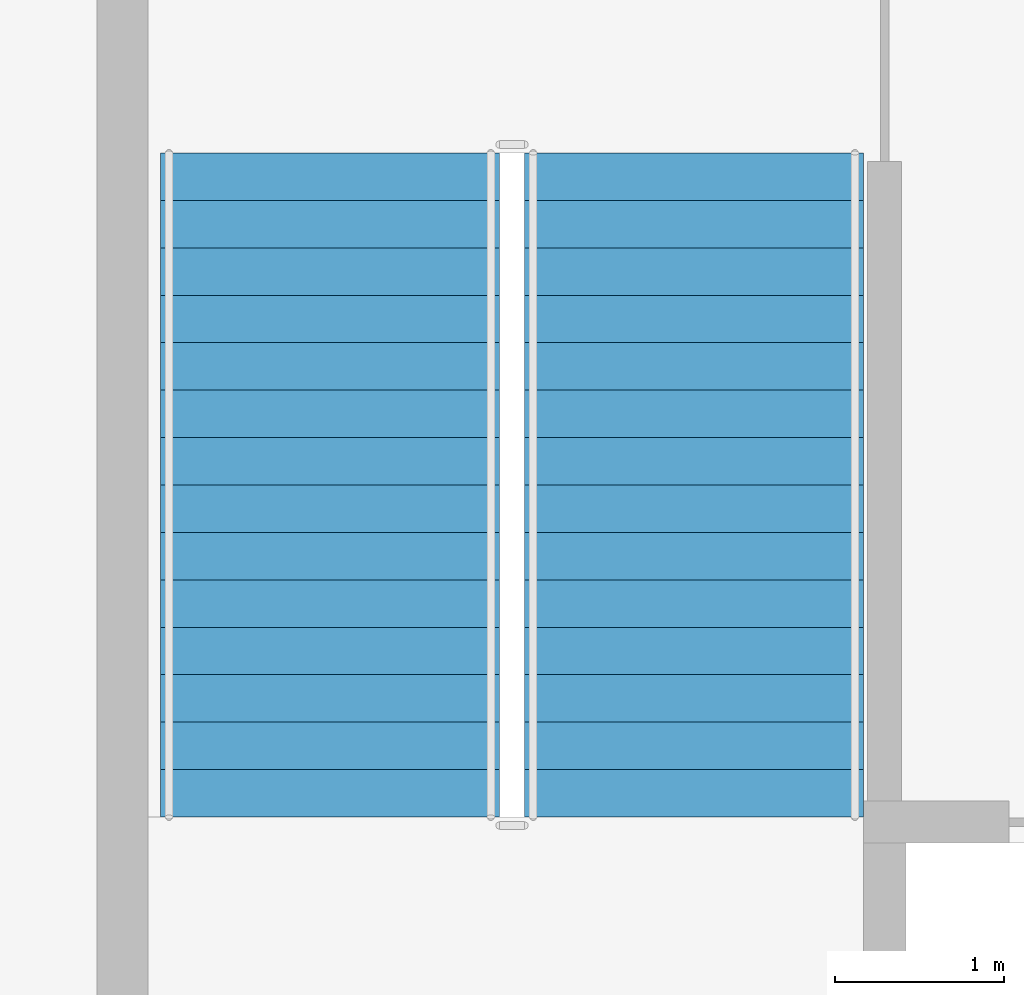
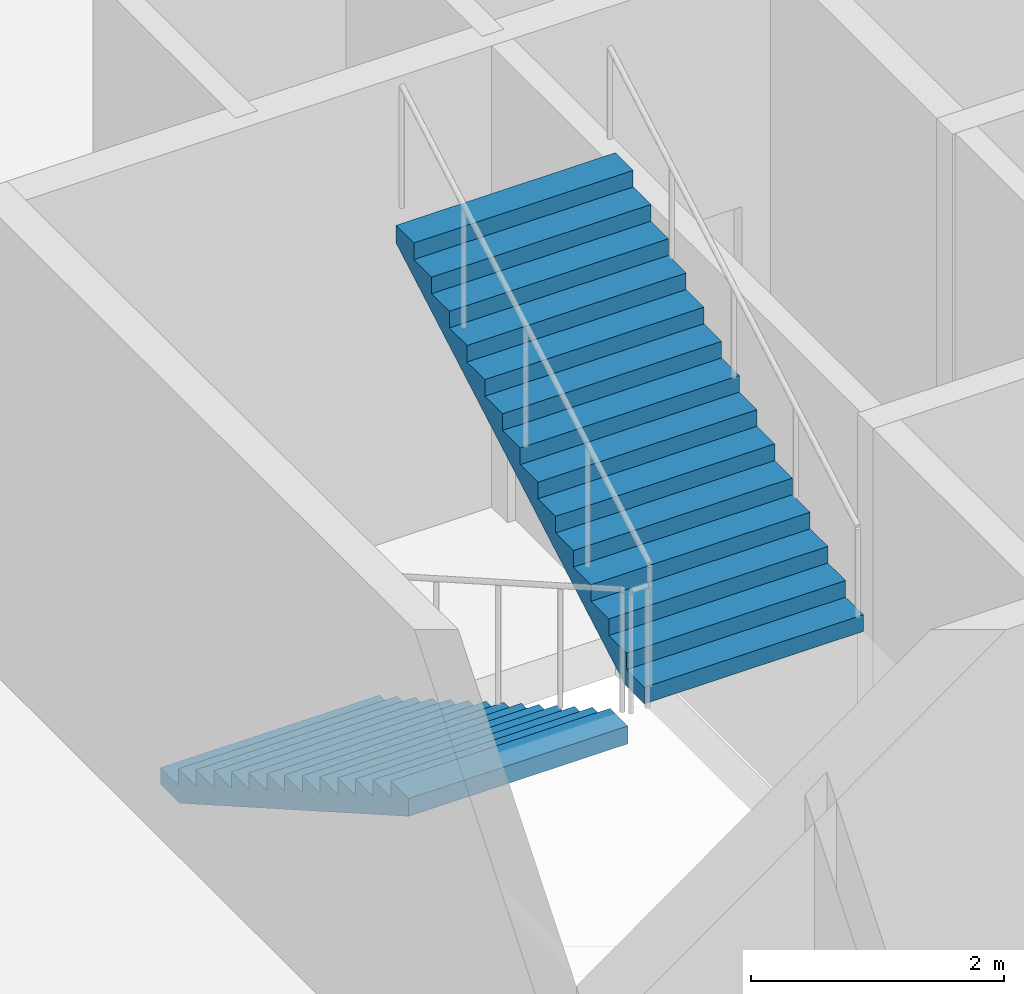
# One storey, part 5 of 10: 2 stair flights, 1 element without a shape of its own.
"""IFC4 building model written with IfcOpenShell, lengths in metres."""

import ifcopenshell
import ifcopenshell.guid

model = None  # the IFC model being written
_history = None  # IfcOwnerHistory: only IFC2X3 demands one
_inside = {}  # id of a spatial element -> (the spatial element, [elements in it])
_under = {}  # id of a project, library or spatial element -> (it, [spatial elements below it])
_declared = {}  # id of a project -> (the project, [libraries it declares])
_typed = {}  # id of a type object -> (the type object, [elements of that type])
_made_of = {}  # id of a material, layer set ... -> (it, [elements and type objects made of it])


def new_model(schema):
    """Start an empty IFC model of exactly this schema.

    Asked for "IFC4X3", IfcOpenShell would pick the latest addendum, in which some entities
    have other attributes; the version numbers below select the first issue.
    IFC2X3 requires an IfcOwnerHistory on every rooted entity: one is made here for all.
    """
    global model, _history
    if schema == "IFC4X3":
        model = ifcopenshell.file(schema_version=(4, 3, 0, 0))
    else:
        model = ifcopenshell.file(schema=schema)
    _inside.clear()
    _under.clear()
    _declared.clear()
    _typed.clear()
    _made_of.clear()
    _history = None
    if model.schema == "IFC2X3":
        org = make("IfcOrganization", Name="unknown")
        user = make(
            "IfcPersonAndOrganization",
            ThePerson=make("IfcPerson", FamilyName="unknown"),
            TheOrganization=org,
        )
        app = make(
            "IfcApplication",
            ApplicationDeveloper=org,
            Version="unknown",
            ApplicationFullName="unknown",
            ApplicationIdentifier="unknown",
        )
        _history = make(
            "IfcOwnerHistory",
            OwningUser=user,
            OwningApplication=app,
            ChangeAction="ADDED",
            CreationDate=0,
        )
    return model


def make(cls, **values):
    """One entity of the class cls with the attributes given. An attribute that is None is left unset."""
    return model.create_entity(
        cls, **{name: value for name, value in values.items() if value is not None}
    )


def rooted(cls, **values):
    """An entity with a GlobalId (a new one), such as an element, a storey or a relation."""
    return make(cls, GlobalId=ifcopenshell.guid.new(), OwnerHistory=_history, **values)


def si_unit(unit_type, name, prefix=None):
    """IfcSIUnit, for example si_unit("LENGTHUNIT", "METRE", prefix="MILLI")."""
    return make("IfcSIUnit", UnitType=unit_type, Prefix=prefix, Name=name)


def assignment(units):
    """IfcUnitAssignment: the units of a project."""
    return None if units is None else make("IfcUnitAssignment", Units=units)


def point(xyz):
    """IfcCartesianPoint."""
    return None if xyz is None else make("IfcCartesianPoint", Coordinates=xyz)


def direction(xyz):
    """IfcDirection."""
    return None if xyz is None else make("IfcDirection", DirectionRatios=xyz)


def frame(location, z_axis=None, x_axis=None):
    """IfcAxis2Placement3D, a coordinate frame: its origin and axes. An axis left out is left unset."""
    return make(
        "IfcAxis2Placement3D",
        Location=point(location),
        Axis=direction(z_axis),
        RefDirection=direction(x_axis),
    )


def origin():
    """The frame at (0, 0, 0) with its axes left unset."""
    return frame((0.0, 0.0, 0.0))


def place(relative_to, where):
    """IfcLocalPlacement: puts the frame where relative to a parent placement (None: the world)."""
    return make(
        "IfcLocalPlacement", PlacementRelTo=relative_to, RelativePlacement=where
    )


def context(
    kind, dimensions, precision=None, world=None, true_north=None, identifier=None
):
    """IfcGeometricRepresentationContext, for example the 3D "Model" context."""
    return make(
        "IfcGeometricRepresentationContext",
        ContextIdentifier=identifier,
        ContextType=kind,
        CoordinateSpaceDimension=dimensions,
        Precision=precision,
        WorldCoordinateSystem=world,
        TrueNorth=true_north,
    )


def subcontext(parent, identifier, kind, view, scale=None):
    """IfcGeometricRepresentationSubContext, for example "Body" below "Model"."""
    return make(
        "IfcGeometricRepresentationSubContext",
        ContextIdentifier=identifier,
        ContextType=kind,
        ParentContext=parent,
        TargetScale=scale,
        TargetView=view,
    )


def project(units=None, contexts=None):
    """IfcProject with its units and contexts."""
    return rooted(
        "IfcProject",
        Name="project",
        RepresentationContexts=contexts,
        UnitsInContext=assignment(units),
    )


def spatial(cls, under=None, at=None, **own):
    """A site, building, storey or space (cls), placed at a placement, below another one or the project."""
    s = rooted(cls, ObjectPlacement=at, **own)
    if under is not None:
        _under.setdefault(under.id(), (under, []))[1].append(s)
    return s


def point_list(points):
    """IfcCartesianPointList2D or 3D."""
    cls = (
        "IfcCartesianPointList2D" if len(points[0]) == 2 else "IfcCartesianPointList3D"
    )
    return make(cls, CoordList=points)


def polygons(points, faces, closed=None, point_numbers=None):
    """IfcPolygonalFaceSet: a face is its outer loop, then its inner loops; points numbered from 1."""
    made = []
    for loops in faces:
        if len(loops) == 1:
            made.append(make("IfcIndexedPolygonalFace", CoordIndex=loops[0]))
        else:
            made.append(
                make(
                    "IfcIndexedPolygonalFaceWithVoids",
                    CoordIndex=loops[0],
                    InnerCoordIndices=loops[1:],
                )
            )
    return make(
        "IfcPolygonalFaceSet",
        Coordinates=point_list(points),
        Closed=closed,
        Faces=made,
        PnIndex=point_numbers,
    )


def shape(context_of_items, identifier, shape_type, items):
    """IfcShapeRepresentation: the items that make up one representation, for example the "Body"."""
    return make(
        "IfcShapeRepresentation",
        ContextOfItems=context_of_items,
        RepresentationIdentifier=identifier,
        RepresentationType=shape_type,
        Items=items,
    )


def material(Name=None, Category=None):
    """IfcMaterial."""
    return make("IfcMaterial", Name=Name, Category=Category)


def made_of(thing, what):
    """Note that an element or type object is made of a material, layer set ...; save() writes the relation."""
    if what is not None:
        _made_of.setdefault(what.id(), (what, []))[1].append(thing)
    return thing


def type_object(cls, material=None, **own):
    """A type object (cls), such as IfcWallType, which elements share."""
    return made_of(rooted(cls, **own), material)


def element(
    cls,
    number,
    at=None,
    inside=None,
    cuts=None,
    type_object=None,
    material=None,
    context=None,
    identifier="Body",
    shape_type=None,
    held_by="IfcProductDefinitionShape",
    body=None,
    shapes=None,
    **own,
):
    """One element of the class cls, such as IfcWall. Its Tag is "e" and its number.

    at: its placement. inside: the storey or other place that contains it. cuts: it is an
    opening in that element (IfcRelVoidsElement). A single representation is given by context,
    identifier, shape_type and body (its items); several are given by shapes. held_by: the class
    of the entity that holds the representations. save() writes the other relations.
    """
    e = rooted(cls, Tag="e%d" % number, ObjectPlacement=at, **own)
    if body is not None:
        shapes = [shape(context, identifier, shape_type, body)]
    if shapes is not None:
        e.Representation = make(held_by, Representations=shapes)
    if inside is not None:
        _inside.setdefault(inside.id(), (inside, []))[1].append(e)
    if cuts is not None:
        rooted(
            "IfcRelVoidsElement", RelatingBuildingElement=cuts, RelatedOpeningElement=e
        )
    if type_object is not None:
        _typed.setdefault(type_object.id(), (type_object, []))[1].append(e)
    return made_of(e, material)


def aggregate(whole, parts):
    """IfcRelAggregates: a whole, such as a stair, and the parts it consists of."""
    return rooted("IfcRelAggregates", RelatingObject=whole, RelatedObjects=parts)


def save(model, path):
    """Write the relations noted so far, then the file.

    IfcRelAggregates (storeys below a building ...), IfcRelContainedInSpatialStructure (elements
    in a storey), IfcRelDefinesByType, IfcRelAssociatesMaterial and IfcRelDeclares: one each for
    every whole, place, type object, material and project.
    """
    for whole, parts in _under.values():
        aggregate(whole, parts)
    for where, things in _inside.values():
        rooted(
            "IfcRelContainedInSpatialStructure",
            RelatedElements=things,
            RelatingStructure=where,
        )
    for kind, things in _typed.values():
        rooted("IfcRelDefinesByType", RelatedObjects=things, RelatingType=kind)
    for what, things in _made_of.values():
        rooted("IfcRelAssociatesMaterial", RelatedObjects=things, RelatingMaterial=what)
    for by, libraries in _declared.values():
        rooted("IfcRelDeclares", RelatingContext=by, RelatedDefinitions=libraries)
    model.write(path)


model = new_model("IFC4")

# Units and contexts
model_context = context("Model", 3, precision=1e-05, world=origin(), true_north=direction((0.0, 1.0)))
body_context = subcontext(model_context, "Body", "Model", "MODEL_VIEW")
ifc_project = project(units=[si_unit("LENGTHUNIT", "METRE"), si_unit("AREAUNIT", "SQUARE_METRE"), si_unit("VOLUMEUNIT", "CUBIC_METRE"), si_unit("PLANEANGLEUNIT", "RADIAN"), si_unit("MASSUNIT", "GRAM", prefix="KILO")], contexts=[model_context])

# Site, building, storey
site_placement = place(None, origin())
site = spatial("IfcSite", under=ifc_project, at=site_placement, CompositionType="ELEMENT")
building_placement = place(site_placement, origin())
building = spatial("IfcBuilding", under=site, at=building_placement, Name="Caravel Reach Hotel and Residences", CompositionType="ELEMENT")
storey_placement = place(building_placement, frame((0.0, 0.0, 140.39990234375)))
storey = spatial("IfcBuildingStorey", under=building, at=storey_placement, Name="L35", CompositionType="ELEMENT", Elevation=140.39990234375)

# Stair, stair flights
ifc_material_1 = material(Name="Concrete C40", Category="concrete")
stair_type = type_object("IfcStairType", Name="Core stair", PredefinedType="HALF_TURN_STAIR", material=ifc_material_1)
stair_placement = place(storey_placement, origin())
stair = element("IfcStair", 1, at=stair_placement, inside=storey, type_object=stair_type, Name="L35 Exit stair A", PredefinedType="HALF_TURN_STAIR")
ifc_material_2 = material(Name="Concrete C40", Category="concrete")
stair_flight_type = type_object("IfcStairFlightType", Name="Core stair flight", PredefinedType="STRAIGHT", material=ifc_material_2)
stair_flight_1_placement = place(storey_placement, frame((19.22509765625, 29.35009765625, 0.0), z_axis=(0.0, 0.0, 1.0), x_axis=(0.0, -1.0, 0.0)))
stair_flight_1 = element("IfcStairFlight", 2, at=stair_flight_1_placement, type_object=stair_flight_type, Name="ST-A flight 1", NumberOfRisers=15, NumberOfTreads=14, PredefinedType="STRAIGHT", RiserHeight=0.16, TreadLength=0.28, context=body_context, shape_type="Tessellation", body=[
    polygons([(0.30213783309663755, 1.0, 0.0), (0.30213783309663755, 0.6666666666666667, 0.0), (0.30213783309663755, 0.33333333333333337, 0.0), (0.30213783309663755, 0.0, 0.0), (0.30213783309663755, -0.33333333333333326, 0.0), (0.30213783309663755, -0.6666666666666667, 0.0), (0.30213783309663755, -1.0, 0.0), (3.9210000000000003, 1.0, 2.0673498096590643), (3.9210000000000003, 0.6666666666666667, 2.0673498096590643), (3.9210000000000003, 0.33333333333333337, 2.0673498096590643), (3.9210000000000003, 0.0, 2.0673498096590643), (3.9210000000000003, -0.33333333333333326, 2.0673498096590643), (3.9210000000000003, -0.6666666666666667, 2.0673498096590643), (3.9210000000000003, -1.0, 2.0673498096590643), (3.9210000000000003, 1.0, 2.24), (3.9210000000000003, 0.6666666666666667, 2.24), (3.9210000000000003, 0.33333333333333337, 2.24), (3.9210000000000003, 0.0, 2.24), (3.9210000000000003, -0.33333333333333326, 2.24), (3.9210000000000003, -0.6666666666666667, 2.24), (3.9210000000000003, -1.0, 2.24), (3.6400000000000006, 1.0, 2.24), (3.6400000000000006, 0.6666666666666667, 2.24), (3.6400000000000006, 0.33333333333333337, 2.24), (3.6400000000000006, 0.0, 2.24), (3.6400000000000006, -0.33333333333333326, 2.24), (3.6400000000000006, -0.6666666666666667, 2.24), (3.6400000000000006, -1.0, 2.24), (3.6400000000000006, 1.0, 2.08), (3.6400000000000006, 0.6666666666666667, 2.08), (3.6400000000000006, 0.33333333333333337, 2.08), (3.6400000000000006, 0.0, 2.08), (3.6400000000000006, -0.33333333333333326, 2.08), (3.6400000000000006, -0.6666666666666667, 2.08), (3.6400000000000006, -1.0, 2.08), (3.3600000000000003, 1.0, 2.08), (3.3600000000000003, 0.6666666666666667, 2.08), (3.3600000000000003, 0.33333333333333337, 2.08), (3.3600000000000003, 0.0, 2.08), (3.3600000000000003, -0.33333333333333326, 2.08), (3.3600000000000003, -0.6666666666666667, 2.08), (3.3600000000000003, -1.0, 2.08), (3.3600000000000003, 1.0, 1.92), (3.3600000000000003, 0.6666666666666667, 1.92), (3.3600000000000003, 0.33333333333333337, 1.92), (3.3600000000000003, 0.0, 1.92), (3.3600000000000003, -0.33333333333333326, 1.92), (3.3600000000000003, -0.6666666666666667, 1.92), (3.3600000000000003, -1.0, 1.92), (3.08, 1.0, 1.92), (3.08, 0.6666666666666667, 1.92), (3.08, 0.33333333333333337, 1.92), (3.08, 0.0, 1.92), (3.08, -0.33333333333333326, 1.92), (3.08, -0.6666666666666667, 1.92), (3.08, -1.0, 1.92), (3.08, 1.0, 1.76), (3.08, 0.6666666666666667, 1.76), (3.08, 0.33333333333333337, 1.76), (3.08, 0.0, 1.76), (3.08, -0.33333333333333326, 1.76), (3.08, -0.6666666666666667, 1.76), (3.08, -1.0, 1.76), (2.8000000000000003, 1.0, 1.76), (2.8000000000000003, 0.6666666666666667, 1.76), (2.8000000000000003, 0.33333333333333337, 1.76), (2.8000000000000003, 0.0, 1.76), (2.8000000000000003, -0.33333333333333326, 1.76), (2.8000000000000003, -0.6666666666666667, 1.76), (2.8000000000000003, -1.0, 1.76), (2.8000000000000003, 1.0, 1.6), (2.8000000000000003, 0.6666666666666667, 1.6), (2.8000000000000003, 0.33333333333333337, 1.6), (2.8000000000000003, 0.0, 1.6), (2.8000000000000003, -0.33333333333333326, 1.6), (2.8000000000000003, -0.6666666666666667, 1.6), (2.8000000000000003, -1.0, 1.6), (2.5200000000000005, 1.0, 1.6), (2.5200000000000005, 0.6666666666666667, 1.6), (2.5200000000000005, 0.33333333333333337, 1.6), (2.5200000000000005, 0.0, 1.6), (2.5200000000000005, -0.33333333333333326, 1.6), (2.5200000000000005, -0.6666666666666667, 1.6), (2.5200000000000005, -1.0, 1.6), (2.5200000000000005, 1.0, 1.44), (2.5200000000000005, 0.6666666666666667, 1.44), (2.5200000000000005, 0.33333333333333337, 1.44), (2.5200000000000005, 0.0, 1.44), (2.5200000000000005, -0.33333333333333326, 1.44), (2.5200000000000005, -0.6666666666666667, 1.44), (2.5200000000000005, -1.0, 1.44), (2.24, 1.0, 1.44), (2.24, 0.6666666666666667, 1.44), (2.24, 0.33333333333333337, 1.44), (2.24, 0.0, 1.44), (2.24, -0.33333333333333326, 1.44), (2.24, -0.6666666666666667, 1.44), (2.24, -1.0, 1.44), (2.24, 1.0, 1.28), (2.24, 0.6666666666666667, 1.28), (2.24, 0.33333333333333337, 1.28), (2.24, 0.0, 1.28), (2.24, -0.33333333333333326, 1.28), (2.24, -0.6666666666666667, 1.28), (2.24, -1.0, 1.28), (1.9600000000000002, 1.0, 1.28), (1.9600000000000002, 0.6666666666666667, 1.28), (1.9600000000000002, 0.33333333333333337, 1.28), (1.9600000000000002, 0.0, 1.28), (1.9600000000000002, -0.33333333333333326, 1.28), (1.9600000000000002, -0.6666666666666667, 1.28), (1.9600000000000002, -1.0, 1.28), (1.9600000000000002, 1.0, 1.12), (1.9600000000000002, 0.6666666666666667, 1.12), (1.9600000000000002, 0.33333333333333337, 1.12), (1.9600000000000002, 0.0, 1.12), (1.9600000000000002, -0.33333333333333326, 1.12), (1.9600000000000002, -0.6666666666666667, 1.12), (1.9600000000000002, -1.0, 1.12), (1.6800000000000002, 1.0, 1.12), (1.6800000000000002, 0.6666666666666667, 1.12), (1.6800000000000002, 0.33333333333333337, 1.12), (1.6800000000000002, 0.0, 1.12), (1.6800000000000002, -0.33333333333333326, 1.12), (1.6800000000000002, -0.6666666666666667, 1.12), (1.6800000000000002, -1.0, 1.12), (1.6800000000000002, 1.0, 0.96), (1.6800000000000002, 0.6666666666666667, 0.96), (1.6800000000000002, 0.33333333333333337, 0.96), (1.6800000000000002, 0.0, 0.96), (1.6800000000000002, -0.33333333333333326, 0.96), (1.6800000000000002, -0.6666666666666667, 0.96), (1.6800000000000002, -1.0, 0.96), (1.4000000000000001, 1.0, 0.96), (1.4000000000000001, 0.6666666666666667, 0.96), (1.4000000000000001, 0.33333333333333337, 0.96), (1.4000000000000001, 0.0, 0.96), (1.4000000000000001, -0.33333333333333326, 0.96), (1.4000000000000001, -0.6666666666666667, 0.96), (1.4000000000000001, -1.0, 0.96), (1.4000000000000001, 1.0, 0.8), (1.4000000000000001, 0.6666666666666667, 0.8), (1.4000000000000001, 0.33333333333333337, 0.8), (1.4000000000000001, 0.0, 0.8), (1.4000000000000001, -0.33333333333333326, 0.8), (1.4000000000000001, -0.6666666666666667, 0.8), (1.4000000000000001, -1.0, 0.8), (1.12, 1.0, 0.8), (1.12, 0.6666666666666667, 0.8), (1.12, 0.33333333333333337, 0.8), (1.12, 0.0, 0.8), (1.12, -0.33333333333333326, 0.8), (1.12, -0.6666666666666667, 0.8), (1.12, -1.0, 0.8), (1.12, 1.0, 0.64), (1.12, 0.6666666666666667, 0.64), (1.12, 0.33333333333333337, 0.64), (1.12, 0.0, 0.64), (1.12, -0.33333333333333326, 0.64), (1.12, -0.6666666666666667, 0.64), (1.12, -1.0, 0.64), (0.8400000000000001, 1.0, 0.64), (0.8400000000000001, 0.6666666666666667, 0.64), (0.8400000000000001, 0.33333333333333337, 0.64), (0.8400000000000001, 0.0, 0.64), (0.8400000000000001, -0.33333333333333326, 0.64), (0.8400000000000001, -0.6666666666666667, 0.64), (0.8400000000000001, -1.0, 0.64), (0.8400000000000001, 1.0, 0.48), (0.8400000000000001, 0.6666666666666667, 0.48), (0.8400000000000001, 0.33333333333333337, 0.48), (0.8400000000000001, 0.0, 0.48), (0.8400000000000001, -0.33333333333333326, 0.48), (0.8400000000000001, -0.6666666666666667, 0.48), (0.8400000000000001, -1.0, 0.48), (0.56, 1.0, 0.48), (0.56, 0.6666666666666667, 0.48), (0.56, 0.33333333333333337, 0.48), (0.56, 0.0, 0.48), (0.56, -0.33333333333333326, 0.48), (0.56, -0.6666666666666667, 0.48), (0.56, -1.0, 0.48), (0.56, 1.0, 0.32), (0.56, 0.6666666666666667, 0.32), (0.56, 0.33333333333333337, 0.32), (0.56, 0.0, 0.32), (0.56, -0.33333333333333326, 0.32), (0.56, -0.6666666666666667, 0.32), (0.56, -1.0, 0.32), (0.28, 1.0, 0.32), (0.28, 0.6666666666666667, 0.32), (0.28, 0.33333333333333337, 0.32), (0.28, 0.0, 0.32), (0.28, -0.33333333333333326, 0.32), (0.28, -0.6666666666666667, 0.32), (0.28, -1.0, 0.32), (0.28, 1.0, 0.16), (0.28, 0.6666666666666667, 0.16), (0.28, 0.33333333333333337, 0.16), (0.28, 0.0, 0.16), (0.28, -0.33333333333333326, 0.16), (0.28, -0.6666666666666667, 0.16), (0.28, -1.0, 0.16), (-0.001, 1.0, 0.16), (-0.001, 0.6666666666666667, 0.16), (-0.001, 0.33333333333333337, 0.16), (-0.001, 0.0, 0.16), (-0.001, -0.33333333333333326, 0.16), (-0.001, -0.6666666666666667, 0.16), (-0.001, -1.0, 0.16), (-0.001, 1.0, 0.0), (-0.001, 0.6666666666666667, 0.0), (-0.001, 0.33333333333333337, 0.0), (-0.001, 0.0, 0.0), (-0.001, -0.33333333333333326, 0.0), (-0.001, -0.6666666666666667, 0.0), (-0.001, -1.0, 0.0)], [[[211, 204, 197, 190, 183, 176, 169, 162, 155, 148, 141, 134, 127, 120, 113, 106, 99, 92, 85, 78, 71, 64, 57, 50, 43, 36, 29, 22, 15, 8, 1]], [[7, 14, 21, 28, 35, 42, 49, 56, 63, 70, 77, 84, 91, 98, 105, 112, 119, 126, 133, 140, 147, 154, 161, 168, 175, 182, 189, 196, 203, 210, 217]], [[1, 8, 9, 2]], [[2, 9, 10, 3]], [[3, 10, 11, 4]], [[4, 11, 12, 5]], [[5, 12, 13, 6]], [[6, 13, 14, 7]], [[8, 15, 16, 9]], [[9, 16, 17, 10]], [[10, 17, 18, 11]], [[11, 18, 19, 12]], [[12, 19, 20, 13]], [[13, 20, 21, 14]], [[15, 22, 23, 16]], [[16, 23, 24, 17]], [[17, 24, 25, 18]], [[18, 25, 26, 19]], [[19, 26, 27, 20]], [[20, 27, 28, 21]], [[22, 29, 30, 23]], [[23, 30, 31, 24]], [[24, 31, 32, 25]], [[25, 32, 33, 26]], [[26, 33, 34, 27]], [[27, 34, 35, 28]], [[29, 36, 37, 30]], [[30, 37, 38, 31]], [[31, 38, 39, 32]], [[32, 39, 40, 33]], [[33, 40, 41, 34]], [[34, 41, 42, 35]], [[36, 43, 44, 37]], [[37, 44, 45, 38]], [[38, 45, 46, 39]], [[39, 46, 47, 40]], [[40, 47, 48, 41]], [[41, 48, 49, 42]], [[43, 50, 51, 44]], [[44, 51, 52, 45]], [[45, 52, 53, 46]], [[46, 53, 54, 47]], [[47, 54, 55, 48]], [[48, 55, 56, 49]], [[50, 57, 58, 51]], [[51, 58, 59, 52]], [[52, 59, 60, 53]], [[53, 60, 61, 54]], [[54, 61, 62, 55]], [[55, 62, 63, 56]], [[57, 64, 65, 58]], [[58, 65, 66, 59]], [[59, 66, 67, 60]], [[60, 67, 68, 61]], [[61, 68, 69, 62]], [[62, 69, 70, 63]], [[64, 71, 72, 65]], [[65, 72, 73, 66]], [[66, 73, 74, 67]], [[67, 74, 75, 68]], [[68, 75, 76, 69]], [[69, 76, 77, 70]], [[71, 78, 79, 72]], [[72, 79, 80, 73]], [[73, 80, 81, 74]], [[74, 81, 82, 75]], [[75, 82, 83, 76]], [[76, 83, 84, 77]], [[78, 85, 86, 79]], [[79, 86, 87, 80]], [[80, 87, 88, 81]], [[81, 88, 89, 82]], [[82, 89, 90, 83]], [[83, 90, 91, 84]], [[85, 92, 93, 86]], [[86, 93, 94, 87]], [[87, 94, 95, 88]], [[88, 95, 96, 89]], [[89, 96, 97, 90]], [[90, 97, 98, 91]], [[92, 99, 100, 93]], [[93, 100, 101, 94]], [[94, 101, 102, 95]], [[95, 102, 103, 96]], [[96, 103, 104, 97]], [[97, 104, 105, 98]], [[99, 106, 107, 100]], [[100, 107, 108, 101]], [[101, 108, 109, 102]], [[102, 109, 110, 103]], [[103, 110, 111, 104]], [[104, 111, 112, 105]], [[106, 113, 114, 107]], [[107, 114, 115, 108]], [[108, 115, 116, 109]], [[109, 116, 117, 110]], [[110, 117, 118, 111]], [[111, 118, 119, 112]], [[113, 120, 121, 114]], [[114, 121, 122, 115]], [[115, 122, 123, 116]], [[116, 123, 124, 117]], [[117, 124, 125, 118]], [[118, 125, 126, 119]], [[120, 127, 128, 121]], [[121, 128, 129, 122]], [[122, 129, 130, 123]], [[123, 130, 131, 124]], [[124, 131, 132, 125]], [[125, 132, 133, 126]], [[127, 134, 135, 128]], [[128, 135, 136, 129]], [[129, 136, 137, 130]], [[130, 137, 138, 131]], [[131, 138, 139, 132]], [[132, 139, 140, 133]], [[134, 141, 142, 135]], [[135, 142, 143, 136]], [[136, 143, 144, 137]], [[137, 144, 145, 138]], [[138, 145, 146, 139]], [[139, 146, 147, 140]], [[141, 148, 149, 142]], [[142, 149, 150, 143]], [[143, 150, 151, 144]], [[144, 151, 152, 145]], [[145, 152, 153, 146]], [[146, 153, 154, 147]], [[148, 155, 156, 149]], [[149, 156, 157, 150]], [[150, 157, 158, 151]], [[151, 158, 159, 152]], [[152, 159, 160, 153]], [[153, 160, 161, 154]], [[155, 162, 163, 156]], [[156, 163, 164, 157]], [[157, 164, 165, 158]], [[158, 165, 166, 159]], [[159, 166, 167, 160]], [[160, 167, 168, 161]], [[162, 169, 170, 163]], [[163, 170, 171, 164]], [[164, 171, 172, 165]], [[165, 172, 173, 166]], [[166, 173, 174, 167]], [[167, 174, 175, 168]], [[169, 176, 177, 170]], [[170, 177, 178, 171]], [[171, 178, 179, 172]], [[172, 179, 180, 173]], [[173, 180, 181, 174]], [[174, 181, 182, 175]], [[176, 183, 184, 177]], [[177, 184, 185, 178]], [[178, 185, 186, 179]], [[179, 186, 187, 180]], [[180, 187, 188, 181]], [[181, 188, 189, 182]], [[183, 190, 191, 184]], [[184, 191, 192, 185]], [[185, 192, 193, 186]], [[186, 193, 194, 187]], [[187, 194, 195, 188]], [[188, 195, 196, 189]], [[190, 197, 198, 191]], [[191, 198, 199, 192]], [[192, 199, 200, 193]], [[193, 200, 201, 194]], [[194, 201, 202, 195]], [[195, 202, 203, 196]], [[197, 204, 205, 198]], [[198, 205, 206, 199]], [[199, 206, 207, 200]], [[200, 207, 208, 201]], [[201, 208, 209, 202]], [[202, 209, 210, 203]], [[204, 211, 212, 205]], [[205, 212, 213, 206]], [[206, 213, 214, 207]], [[207, 214, 215, 208]], [[208, 215, 216, 209]], [[209, 216, 217, 210]], [[211, 1, 2, 212]], [[212, 2, 3, 213]], [[213, 3, 4, 214]], [[214, 4, 5, 215]], [[215, 5, 6, 216]], [[216, 6, 7, 217]]], closed=True),
])
stair_flight_2_placement = place(storey_placement, frame((21.375, 25.429931640625, 2.400146484375), z_axis=(0.0, 0.0, 1.0), x_axis=(0.0, 1.0, 0.0)))
stair_flight_2 = element("IfcStairFlight", 3, at=stair_flight_2_placement, type_object=stair_flight_type, Name="ST-A flight 2", NumberOfRisers=15, NumberOfTreads=14, PredefinedType="STRAIGHT", RiserHeight=0.16, TreadLength=0.28, context=body_context, shape_type="Tessellation", body=[
    polygons([(0.30213783309663755, 1.0, 0.0), (0.30213783309663755, 0.6666666666666667, 0.0), (0.30213783309663755, 0.33333333333333337, 0.0), (0.30213783309663755, 0.0, 0.0), (0.30213783309663755, -0.33333333333333326, 0.0), (0.30213783309663755, -0.6666666666666667, 0.0), (0.30213783309663755, -1.0, 0.0), (3.9210000000000003, 1.0, 2.0673498096590643), (3.9210000000000003, 0.6666666666666667, 2.0673498096590643), (3.9210000000000003, 0.33333333333333337, 2.0673498096590643), (3.9210000000000003, 0.0, 2.0673498096590643), (3.9210000000000003, -0.33333333333333326, 2.0673498096590643), (3.9210000000000003, -0.6666666666666667, 2.0673498096590643), (3.9210000000000003, -1.0, 2.0673498096590643), (3.9210000000000003, 1.0, 2.24), (3.9210000000000003, 0.6666666666666667, 2.24), (3.9210000000000003, 0.33333333333333337, 2.24), (3.9210000000000003, 0.0, 2.24), (3.9210000000000003, -0.33333333333333326, 2.24), (3.9210000000000003, -0.6666666666666667, 2.24), (3.9210000000000003, -1.0, 2.24), (3.6400000000000006, 1.0, 2.24), (3.6400000000000006, 0.6666666666666667, 2.24), (3.6400000000000006, 0.33333333333333337, 2.24), (3.6400000000000006, 0.0, 2.24), (3.6400000000000006, -0.33333333333333326, 2.24), (3.6400000000000006, -0.6666666666666667, 2.24), (3.6400000000000006, -1.0, 2.24), (3.6400000000000006, 1.0, 2.08), (3.6400000000000006, 0.6666666666666667, 2.08), (3.6400000000000006, 0.33333333333333337, 2.08), (3.6400000000000006, 0.0, 2.08), (3.6400000000000006, -0.33333333333333326, 2.08), (3.6400000000000006, -0.6666666666666667, 2.08), (3.6400000000000006, -1.0, 2.08), (3.3600000000000003, 1.0, 2.08), (3.3600000000000003, 0.6666666666666667, 2.08), (3.3600000000000003, 0.33333333333333337, 2.08), (3.3600000000000003, 0.0, 2.08), (3.3600000000000003, -0.33333333333333326, 2.08), (3.3600000000000003, -0.6666666666666667, 2.08), (3.3600000000000003, -1.0, 2.08), (3.3600000000000003, 1.0, 1.92), (3.3600000000000003, 0.6666666666666667, 1.92), (3.3600000000000003, 0.33333333333333337, 1.92), (3.3600000000000003, 0.0, 1.92), (3.3600000000000003, -0.33333333333333326, 1.92), (3.3600000000000003, -0.6666666666666667, 1.92), (3.3600000000000003, -1.0, 1.92), (3.08, 1.0, 1.92), (3.08, 0.6666666666666667, 1.92), (3.08, 0.33333333333333337, 1.92), (3.08, 0.0, 1.92), (3.08, -0.33333333333333326, 1.92), (3.08, -0.6666666666666667, 1.92), (3.08, -1.0, 1.92), (3.08, 1.0, 1.76), (3.08, 0.6666666666666667, 1.76), (3.08, 0.33333333333333337, 1.76), (3.08, 0.0, 1.76), (3.08, -0.33333333333333326, 1.76), (3.08, -0.6666666666666667, 1.76), (3.08, -1.0, 1.76), (2.8000000000000003, 1.0, 1.76), (2.8000000000000003, 0.6666666666666667, 1.76), (2.8000000000000003, 0.33333333333333337, 1.76), (2.8000000000000003, 0.0, 1.76), (2.8000000000000003, -0.33333333333333326, 1.76), (2.8000000000000003, -0.6666666666666667, 1.76), (2.8000000000000003, -1.0, 1.76), (2.8000000000000003, 1.0, 1.6), (2.8000000000000003, 0.6666666666666667, 1.6), (2.8000000000000003, 0.33333333333333337, 1.6), (2.8000000000000003, 0.0, 1.6), (2.8000000000000003, -0.33333333333333326, 1.6), (2.8000000000000003, -0.6666666666666667, 1.6), (2.8000000000000003, -1.0, 1.6), (2.5200000000000005, 1.0, 1.6), (2.5200000000000005, 0.6666666666666667, 1.6), (2.5200000000000005, 0.33333333333333337, 1.6), (2.5200000000000005, 0.0, 1.6), (2.5200000000000005, -0.33333333333333326, 1.6), (2.5200000000000005, -0.6666666666666667, 1.6), (2.5200000000000005, -1.0, 1.6), (2.5200000000000005, 1.0, 1.44), (2.5200000000000005, 0.6666666666666667, 1.44), (2.5200000000000005, 0.33333333333333337, 1.44), (2.5200000000000005, 0.0, 1.44), (2.5200000000000005, -0.33333333333333326, 1.44), (2.5200000000000005, -0.6666666666666667, 1.44), (2.5200000000000005, -1.0, 1.44), (2.24, 1.0, 1.44), (2.24, 0.6666666666666667, 1.44), (2.24, 0.33333333333333337, 1.44), (2.24, 0.0, 1.44), (2.24, -0.33333333333333326, 1.44), (2.24, -0.6666666666666667, 1.44), (2.24, -1.0, 1.44), (2.24, 1.0, 1.28), (2.24, 0.6666666666666667, 1.28), (2.24, 0.33333333333333337, 1.28), (2.24, 0.0, 1.28), (2.24, -0.33333333333333326, 1.28), (2.24, -0.6666666666666667, 1.28), (2.24, -1.0, 1.28), (1.9600000000000002, 1.0, 1.28), (1.9600000000000002, 0.6666666666666667, 1.28), (1.9600000000000002, 0.33333333333333337, 1.28), (1.9600000000000002, 0.0, 1.28), (1.9600000000000002, -0.33333333333333326, 1.28), (1.9600000000000002, -0.6666666666666667, 1.28), (1.9600000000000002, -1.0, 1.28), (1.9600000000000002, 1.0, 1.12), (1.9600000000000002, 0.6666666666666667, 1.12), (1.9600000000000002, 0.33333333333333337, 1.12), (1.9600000000000002, 0.0, 1.12), (1.9600000000000002, -0.33333333333333326, 1.12), (1.9600000000000002, -0.6666666666666667, 1.12), (1.9600000000000002, -1.0, 1.12), (1.6800000000000002, 1.0, 1.12), (1.6800000000000002, 0.6666666666666667, 1.12), (1.6800000000000002, 0.33333333333333337, 1.12), (1.6800000000000002, 0.0, 1.12), (1.6800000000000002, -0.33333333333333326, 1.12), (1.6800000000000002, -0.6666666666666667, 1.12), (1.6800000000000002, -1.0, 1.12), (1.6800000000000002, 1.0, 0.96), (1.6800000000000002, 0.6666666666666667, 0.96), (1.6800000000000002, 0.33333333333333337, 0.96), (1.6800000000000002, 0.0, 0.96), (1.6800000000000002, -0.33333333333333326, 0.96), (1.6800000000000002, -0.6666666666666667, 0.96), (1.6800000000000002, -1.0, 0.96), (1.4000000000000001, 1.0, 0.96), (1.4000000000000001, 0.6666666666666667, 0.96), (1.4000000000000001, 0.33333333333333337, 0.96), (1.4000000000000001, 0.0, 0.96), (1.4000000000000001, -0.33333333333333326, 0.96), (1.4000000000000001, -0.6666666666666667, 0.96), (1.4000000000000001, -1.0, 0.96), (1.4000000000000001, 1.0, 0.8), (1.4000000000000001, 0.6666666666666667, 0.8), (1.4000000000000001, 0.33333333333333337, 0.8), (1.4000000000000001, 0.0, 0.8), (1.4000000000000001, -0.33333333333333326, 0.8), (1.4000000000000001, -0.6666666666666667, 0.8), (1.4000000000000001, -1.0, 0.8), (1.12, 1.0, 0.8), (1.12, 0.6666666666666667, 0.8), (1.12, 0.33333333333333337, 0.8), (1.12, 0.0, 0.8), (1.12, -0.33333333333333326, 0.8), (1.12, -0.6666666666666667, 0.8), (1.12, -1.0, 0.8), (1.12, 1.0, 0.64), (1.12, 0.6666666666666667, 0.64), (1.12, 0.33333333333333337, 0.64), (1.12, 0.0, 0.64), (1.12, -0.33333333333333326, 0.64), (1.12, -0.6666666666666667, 0.64), (1.12, -1.0, 0.64), (0.8400000000000001, 1.0, 0.64), (0.8400000000000001, 0.6666666666666667, 0.64), (0.8400000000000001, 0.33333333333333337, 0.64), (0.8400000000000001, 0.0, 0.64), (0.8400000000000001, -0.33333333333333326, 0.64), (0.8400000000000001, -0.6666666666666667, 0.64), (0.8400000000000001, -1.0, 0.64), (0.8400000000000001, 1.0, 0.48), (0.8400000000000001, 0.6666666666666667, 0.48), (0.8400000000000001, 0.33333333333333337, 0.48), (0.8400000000000001, 0.0, 0.48), (0.8400000000000001, -0.33333333333333326, 0.48), (0.8400000000000001, -0.6666666666666667, 0.48), (0.8400000000000001, -1.0, 0.48), (0.56, 1.0, 0.48), (0.56, 0.6666666666666667, 0.48), (0.56, 0.33333333333333337, 0.48), (0.56, 0.0, 0.48), (0.56, -0.33333333333333326, 0.48), (0.56, -0.6666666666666667, 0.48), (0.56, -1.0, 0.48), (0.56, 1.0, 0.32), (0.56, 0.6666666666666667, 0.32), (0.56, 0.33333333333333337, 0.32), (0.56, 0.0, 0.32), (0.56, -0.33333333333333326, 0.32), (0.56, -0.6666666666666667, 0.32), (0.56, -1.0, 0.32), (0.28, 1.0, 0.32), (0.28, 0.6666666666666667, 0.32), (0.28, 0.33333333333333337, 0.32), (0.28, 0.0, 0.32), (0.28, -0.33333333333333326, 0.32), (0.28, -0.6666666666666667, 0.32), (0.28, -1.0, 0.32), (0.28, 1.0, 0.16), (0.28, 0.6666666666666667, 0.16), (0.28, 0.33333333333333337, 0.16), (0.28, 0.0, 0.16), (0.28, -0.33333333333333326, 0.16), (0.28, -0.6666666666666667, 0.16), (0.28, -1.0, 0.16), (-0.001, 1.0, 0.16), (-0.001, 0.6666666666666667, 0.16), (-0.001, 0.33333333333333337, 0.16), (-0.001, 0.0, 0.16), (-0.001, -0.33333333333333326, 0.16), (-0.001, -0.6666666666666667, 0.16), (-0.001, -1.0, 0.16), (-0.001, 1.0, 0.0), (-0.001, 0.6666666666666667, 0.0), (-0.001, 0.33333333333333337, 0.0), (-0.001, 0.0, 0.0), (-0.001, -0.33333333333333326, 0.0), (-0.001, -0.6666666666666667, 0.0), (-0.001, -1.0, 0.0)], [[[211, 204, 197, 190, 183, 176, 169, 162, 155, 148, 141, 134, 127, 120, 113, 106, 99, 92, 85, 78, 71, 64, 57, 50, 43, 36, 29, 22, 15, 8, 1]], [[7, 14, 21, 28, 35, 42, 49, 56, 63, 70, 77, 84, 91, 98, 105, 112, 119, 126, 133, 140, 147, 154, 161, 168, 175, 182, 189, 196, 203, 210, 217]], [[1, 8, 9, 2]], [[2, 9, 10, 3]], [[3, 10, 11, 4]], [[4, 11, 12, 5]], [[5, 12, 13, 6]], [[6, 13, 14, 7]], [[8, 15, 16, 9]], [[9, 16, 17, 10]], [[10, 17, 18, 11]], [[11, 18, 19, 12]], [[12, 19, 20, 13]], [[13, 20, 21, 14]], [[15, 22, 23, 16]], [[16, 23, 24, 17]], [[17, 24, 25, 18]], [[18, 25, 26, 19]], [[19, 26, 27, 20]], [[20, 27, 28, 21]], [[22, 29, 30, 23]], [[23, 30, 31, 24]], [[24, 31, 32, 25]], [[25, 32, 33, 26]], [[26, 33, 34, 27]], [[27, 34, 35, 28]], [[29, 36, 37, 30]], [[30, 37, 38, 31]], [[31, 38, 39, 32]], [[32, 39, 40, 33]], [[33, 40, 41, 34]], [[34, 41, 42, 35]], [[36, 43, 44, 37]], [[37, 44, 45, 38]], [[38, 45, 46, 39]], [[39, 46, 47, 40]], [[40, 47, 48, 41]], [[41, 48, 49, 42]], [[43, 50, 51, 44]], [[44, 51, 52, 45]], [[45, 52, 53, 46]], [[46, 53, 54, 47]], [[47, 54, 55, 48]], [[48, 55, 56, 49]], [[50, 57, 58, 51]], [[51, 58, 59, 52]], [[52, 59, 60, 53]], [[53, 60, 61, 54]], [[54, 61, 62, 55]], [[55, 62, 63, 56]], [[57, 64, 65, 58]], [[58, 65, 66, 59]], [[59, 66, 67, 60]], [[60, 67, 68, 61]], [[61, 68, 69, 62]], [[62, 69, 70, 63]], [[64, 71, 72, 65]], [[65, 72, 73, 66]], [[66, 73, 74, 67]], [[67, 74, 75, 68]], [[68, 75, 76, 69]], [[69, 76, 77, 70]], [[71, 78, 79, 72]], [[72, 79, 80, 73]], [[73, 80, 81, 74]], [[74, 81, 82, 75]], [[75, 82, 83, 76]], [[76, 83, 84, 77]], [[78, 85, 86, 79]], [[79, 86, 87, 80]], [[80, 87, 88, 81]], [[81, 88, 89, 82]], [[82, 89, 90, 83]], [[83, 90, 91, 84]], [[85, 92, 93, 86]], [[86, 93, 94, 87]], [[87, 94, 95, 88]], [[88, 95, 96, 89]], [[89, 96, 97, 90]], [[90, 97, 98, 91]], [[92, 99, 100, 93]], [[93, 100, 101, 94]], [[94, 101, 102, 95]], [[95, 102, 103, 96]], [[96, 103, 104, 97]], [[97, 104, 105, 98]], [[99, 106, 107, 100]], [[100, 107, 108, 101]], [[101, 108, 109, 102]], [[102, 109, 110, 103]], [[103, 110, 111, 104]], [[104, 111, 112, 105]], [[106, 113, 114, 107]], [[107, 114, 115, 108]], [[108, 115, 116, 109]], [[109, 116, 117, 110]], [[110, 117, 118, 111]], [[111, 118, 119, 112]], [[113, 120, 121, 114]], [[114, 121, 122, 115]], [[115, 122, 123, 116]], [[116, 123, 124, 117]], [[117, 124, 125, 118]], [[118, 125, 126, 119]], [[120, 127, 128, 121]], [[121, 128, 129, 122]], [[122, 129, 130, 123]], [[123, 130, 131, 124]], [[124, 131, 132, 125]], [[125, 132, 133, 126]], [[127, 134, 135, 128]], [[128, 135, 136, 129]], [[129, 136, 137, 130]], [[130, 137, 138, 131]], [[131, 138, 139, 132]], [[132, 139, 140, 133]], [[134, 141, 142, 135]], [[135, 142, 143, 136]], [[136, 143, 144, 137]], [[137, 144, 145, 138]], [[138, 145, 146, 139]], [[139, 146, 147, 140]], [[141, 148, 149, 142]], [[142, 149, 150, 143]], [[143, 150, 151, 144]], [[144, 151, 152, 145]], [[145, 152, 153, 146]], [[146, 153, 154, 147]], [[148, 155, 156, 149]], [[149, 156, 157, 150]], [[150, 157, 158, 151]], [[151, 158, 159, 152]], [[152, 159, 160, 153]], [[153, 160, 161, 154]], [[155, 162, 163, 156]], [[156, 163, 164, 157]], [[157, 164, 165, 158]], [[158, 165, 166, 159]], [[159, 166, 167, 160]], [[160, 167, 168, 161]], [[162, 169, 170, 163]], [[163, 170, 171, 164]], [[164, 171, 172, 165]], [[165, 172, 173, 166]], [[166, 173, 174, 167]], [[167, 174, 175, 168]], [[169, 176, 177, 170]], [[170, 177, 178, 171]], [[171, 178, 179, 172]], [[172, 179, 180, 173]], [[173, 180, 181, 174]], [[174, 181, 182, 175]], [[176, 183, 184, 177]], [[177, 184, 185, 178]], [[178, 185, 186, 179]], [[179, 186, 187, 180]], [[180, 187, 188, 181]], [[181, 188, 189, 182]], [[183, 190, 191, 184]], [[184, 191, 192, 185]], [[185, 192, 193, 186]], [[186, 193, 194, 187]], [[187, 194, 195, 188]], [[188, 195, 196, 189]], [[190, 197, 198, 191]], [[191, 198, 199, 192]], [[192, 199, 200, 193]], [[193, 200, 201, 194]], [[194, 201, 202, 195]], [[195, 202, 203, 196]], [[197, 204, 205, 198]], [[198, 205, 206, 199]], [[199, 206, 207, 200]], [[200, 207, 208, 201]], [[201, 208, 209, 202]], [[202, 209, 210, 203]], [[204, 211, 212, 205]], [[205, 212, 213, 206]], [[206, 213, 214, 207]], [[207, 214, 215, 208]], [[208, 215, 216, 209]], [[209, 216, 217, 210]], [[211, 1, 2, 212]], [[212, 2, 3, 213]], [[213, 3, 4, 214]], [[214, 4, 5, 215]], [[215, 5, 6, 216]], [[216, 6, 7, 217]]], closed=True),
])
aggregate(stair, [stair_flight_1, stair_flight_2])

save(model, "model.ifc")
